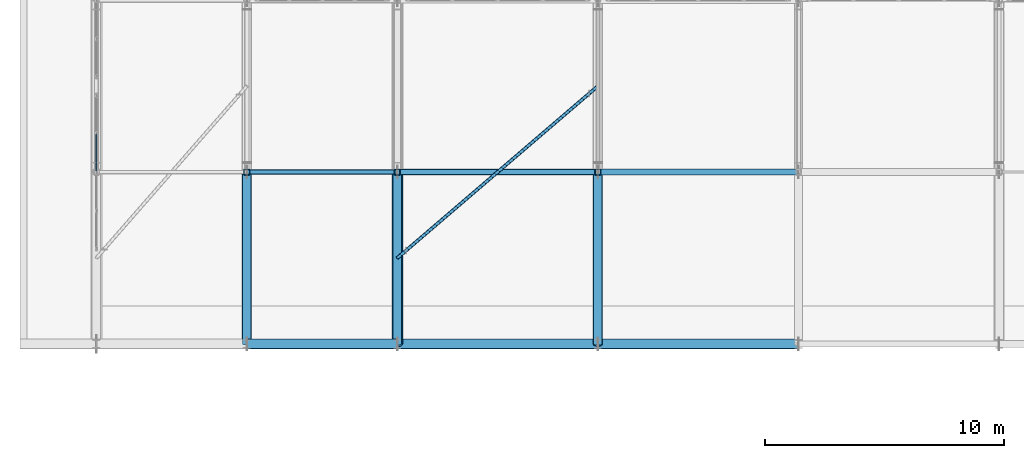
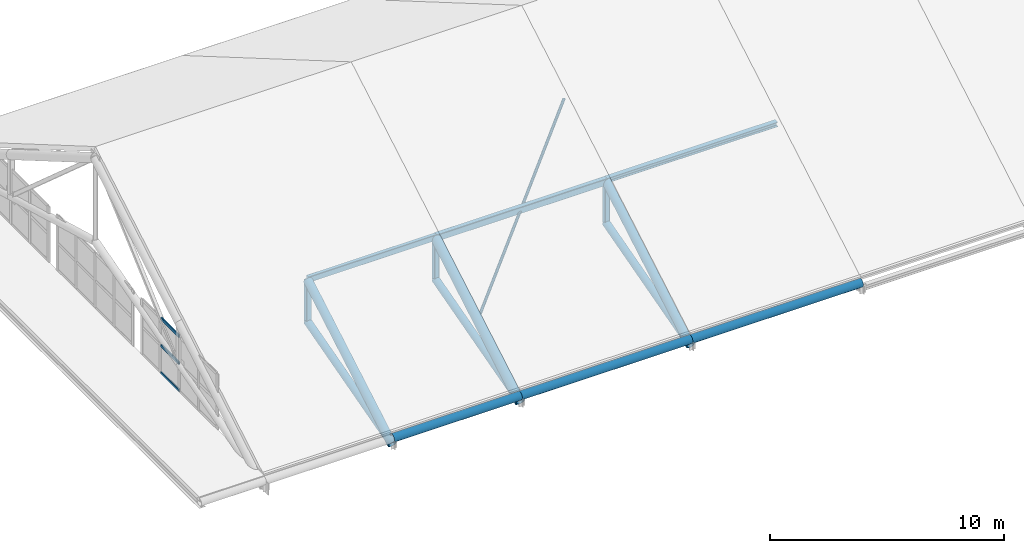
# One storey, part 3 of 54: 19 members, 1 element without a shape of its own.
"""IFC4 building model written with IfcOpenShell, lengths in metres."""

import ifcopenshell
import ifcopenshell.guid

model = None  # the IFC model being written
_history = None  # IfcOwnerHistory: only IFC2X3 demands one
_inside = {}  # id of a spatial element -> (the spatial element, [elements in it])
_under = {}  # id of a project, library or spatial element -> (it, [spatial elements below it])
_declared = {}  # id of a project -> (the project, [libraries it declares])
_typed = {}  # id of a type object -> (the type object, [elements of that type])
_made_of = {}  # id of a material, layer set ... -> (it, [elements and type objects made of it])


def new_model(schema):
    """Start an empty IFC model of exactly this schema.

    Asked for "IFC4X3", IfcOpenShell would pick the latest addendum, in which some entities
    have other attributes; the version numbers below select the first issue.
    IFC2X3 requires an IfcOwnerHistory on every rooted entity: one is made here for all.
    """
    global model, _history
    if schema == "IFC4X3":
        model = ifcopenshell.file(schema_version=(4, 3, 0, 0))
    else:
        model = ifcopenshell.file(schema=schema)
    _inside.clear()
    _under.clear()
    _declared.clear()
    _typed.clear()
    _made_of.clear()
    _history = None
    if model.schema == "IFC2X3":
        org = make("IfcOrganization", Name="unknown")
        user = make(
            "IfcPersonAndOrganization",
            ThePerson=make("IfcPerson", FamilyName="unknown"),
            TheOrganization=org,
        )
        app = make(
            "IfcApplication",
            ApplicationDeveloper=org,
            Version="unknown",
            ApplicationFullName="unknown",
            ApplicationIdentifier="unknown",
        )
        _history = make(
            "IfcOwnerHistory",
            OwningUser=user,
            OwningApplication=app,
            ChangeAction="ADDED",
            CreationDate=0,
        )
    return model


def make(cls, **values):
    """One entity of the class cls with the attributes given. An attribute that is None is left unset."""
    return model.create_entity(
        cls, **{name: value for name, value in values.items() if value is not None}
    )


def rooted(cls, **values):
    """An entity with a GlobalId (a new one), such as an element, a storey or a relation."""
    return make(cls, GlobalId=ifcopenshell.guid.new(), OwnerHistory=_history, **values)


def si_unit(unit_type, name, prefix=None):
    """IfcSIUnit, for example si_unit("LENGTHUNIT", "METRE", prefix="MILLI")."""
    return make("IfcSIUnit", UnitType=unit_type, Prefix=prefix, Name=name)


def assignment(units):
    """IfcUnitAssignment: the units of a project."""
    return None if units is None else make("IfcUnitAssignment", Units=units)


def point(xyz):
    """IfcCartesianPoint."""
    return None if xyz is None else make("IfcCartesianPoint", Coordinates=xyz)


def direction(xyz):
    """IfcDirection."""
    return None if xyz is None else make("IfcDirection", DirectionRatios=xyz)


def frame(location, z_axis=None, x_axis=None):
    """IfcAxis2Placement3D, a coordinate frame: its origin and axes. An axis left out is left unset."""
    return make(
        "IfcAxis2Placement3D",
        Location=point(location),
        Axis=direction(z_axis),
        RefDirection=direction(x_axis),
    )


def frame_2d(location, x_axis=None):
    """IfcAxis2Placement2D, a coordinate frame in the plane: its origin and x axis."""
    return make(
        "IfcAxis2Placement2D", Location=point(location), RefDirection=direction(x_axis)
    )


def origin():
    """The frame at (0, 0, 0) with its axes left unset."""
    return frame((0.0, 0.0, 0.0))


def origin_2d():
    """The frame at (0, 0) in the plane with its x axis left unset."""
    return frame_2d((0.0, 0.0))


def place(relative_to, where):
    """IfcLocalPlacement: puts the frame where relative to a parent placement (None: the world)."""
    return make(
        "IfcLocalPlacement", PlacementRelTo=relative_to, RelativePlacement=where
    )


def context(
    kind, dimensions, precision=None, world=None, true_north=None, identifier=None
):
    """IfcGeometricRepresentationContext, for example the 3D "Model" context."""
    return make(
        "IfcGeometricRepresentationContext",
        ContextIdentifier=identifier,
        ContextType=kind,
        CoordinateSpaceDimension=dimensions,
        Precision=precision,
        WorldCoordinateSystem=world,
        TrueNorth=true_north,
    )


def subcontext(parent, identifier, kind, view, scale=None):
    """IfcGeometricRepresentationSubContext, for example "Body" below "Model"."""
    return make(
        "IfcGeometricRepresentationSubContext",
        ContextIdentifier=identifier,
        ContextType=kind,
        ParentContext=parent,
        TargetScale=scale,
        TargetView=view,
    )


def project(units=None, contexts=None):
    """IfcProject with its units and contexts."""
    return rooted(
        "IfcProject",
        Name="project",
        RepresentationContexts=contexts,
        UnitsInContext=assignment(units),
    )


def spatial(cls, under=None, at=None, **own):
    """A site, building, storey or space (cls), placed at a placement, below another one or the project."""
    s = rooted(cls, ObjectPlacement=at, **own)
    if under is not None:
        _under.setdefault(under.id(), (under, []))[1].append(s)
    return s


def profile(cls, at=None, kind="AREA", **sizes):
    """A parametric profile (cls). Its sizes go by their IFC names, for example OverallWidth=200.0."""
    return make(cls, ProfileType=kind, Position=at, **sizes)


def hollow_rectangle(**sizes):
    """IfcRectangleHollowProfileDef."""
    return profile("IfcRectangleHollowProfileDef", **sizes)


def hollow_circle(**sizes):
    """IfcCircleHollowProfileDef."""
    return profile("IfcCircleHollowProfileDef", **sizes)


def i_section(**sizes):
    """IfcIShapeProfileDef."""
    return profile("IfcIShapeProfileDef", **sizes)


def extrude(swept, where, along, depth):
    """IfcExtrudedAreaSolid: the profile swept, set in the frame where, extruded along a direction by depth."""
    return make(
        "IfcExtrudedAreaSolid",
        SweptArea=swept,
        Position=where,
        ExtrudedDirection=direction(along),
        Depth=depth,
    )


def shape(context_of_items, identifier, shape_type, items):
    """IfcShapeRepresentation: the items that make up one representation, for example the "Body"."""
    return make(
        "IfcShapeRepresentation",
        ContextOfItems=context_of_items,
        RepresentationIdentifier=identifier,
        RepresentationType=shape_type,
        Items=items,
    )


def material(Name=None, Category=None):
    """IfcMaterial."""
    return make("IfcMaterial", Name=Name, Category=Category)


def layer(
    of_material, thickness, ventilated=None, Name=None, Category=None, Priority=None
):
    """IfcMaterialLayer: one layer of a wall or slab, of a material (None: an air gap)."""
    return make(
        "IfcMaterialLayer",
        Material=of_material,
        LayerThickness=thickness,
        IsVentilated=ventilated,
        Name=Name,
        Category=Category,
        Priority=Priority,
    )


def layer_set(layers, Name=None):
    """IfcMaterialLayerSet."""
    return make("IfcMaterialLayerSet", MaterialLayers=layers, LayerSetName=Name)


def material_profile(
    of_material, cross_section, Name=None, Category=None, Priority=None
):
    """IfcMaterialProfile: a cross section and its material."""
    return make(
        "IfcMaterialProfile",
        Name=Name,
        Material=of_material,
        Profile=cross_section,
        Priority=Priority,
        Category=Category,
    )


def profile_set(profiles, Name=None, composite=None):
    """IfcMaterialProfileSet."""
    return make(
        "IfcMaterialProfileSet",
        Name=Name,
        MaterialProfiles=profiles,
        CompositeProfile=composite,
    )


def made_of(thing, what):
    """Note that an element or type object is made of a material, layer set ...; save() writes the relation."""
    if what is not None:
        _made_of.setdefault(what.id(), (what, []))[1].append(thing)
    return thing


def type_object(cls, material=None, **own):
    """A type object (cls), such as IfcWallType, which elements share."""
    return made_of(rooted(cls, **own), material)


def element(
    cls,
    number,
    at=None,
    inside=None,
    cuts=None,
    type_object=None,
    material=None,
    context=None,
    identifier="Body",
    shape_type=None,
    held_by="IfcProductDefinitionShape",
    body=None,
    shapes=None,
    **own,
):
    """One element of the class cls, such as IfcWall. Its Tag is "e" and its number.

    at: its placement. inside: the storey or other place that contains it. cuts: it is an
    opening in that element (IfcRelVoidsElement). A single representation is given by context,
    identifier, shape_type and body (its items); several are given by shapes. held_by: the class
    of the entity that holds the representations. save() writes the other relations.
    """
    e = rooted(cls, Tag="e%d" % number, ObjectPlacement=at, **own)
    if body is not None:
        shapes = [shape(context, identifier, shape_type, body)]
    if shapes is not None:
        e.Representation = make(held_by, Representations=shapes)
    if inside is not None:
        _inside.setdefault(inside.id(), (inside, []))[1].append(e)
    if cuts is not None:
        rooted(
            "IfcRelVoidsElement", RelatingBuildingElement=cuts, RelatedOpeningElement=e
        )
    if type_object is not None:
        _typed.setdefault(type_object.id(), (type_object, []))[1].append(e)
    return made_of(e, material)


def aggregate(whole, parts):
    """IfcRelAggregates: a whole, such as a stair, and the parts it consists of."""
    return rooted("IfcRelAggregates", RelatingObject=whole, RelatedObjects=parts)


def save(model, path):
    """Write the relations noted so far, then the file.

    IfcRelAggregates (storeys below a building ...), IfcRelContainedInSpatialStructure (elements
    in a storey), IfcRelDefinesByType, IfcRelAssociatesMaterial and IfcRelDeclares: one each for
    every whole, place, type object, material and project.
    """
    for whole, parts in _under.values():
        aggregate(whole, parts)
    for where, things in _inside.values():
        rooted(
            "IfcRelContainedInSpatialStructure",
            RelatedElements=things,
            RelatingStructure=where,
        )
    for kind, things in _typed.values():
        rooted("IfcRelDefinesByType", RelatedObjects=things, RelatingType=kind)
    for what, things in _made_of.values():
        rooted("IfcRelAssociatesMaterial", RelatedObjects=things, RelatingMaterial=what)
    for by, libraries in _declared.values():
        rooted("IfcRelDeclares", RelatingContext=by, RelatedDefinitions=libraries)
    model.write(path)


model = new_model("IFC4")

# Units and contexts
model_context = context("Model", 3, precision=1e-05, world=origin(), true_north=direction((0.0, 1.0)))
body_context = subcontext(model_context, "Body", "Model", "MODEL_VIEW")
ifc_project = project(units=[si_unit("LENGTHUNIT", "METRE"), si_unit("AREAUNIT", "SQUARE_METRE"), si_unit("VOLUMEUNIT", "CUBIC_METRE"), si_unit("PLANEANGLEUNIT", "RADIAN"), si_unit("MASSUNIT", "GRAM", prefix="KILO")], contexts=[model_context])

# Site, building, storey
site_placement = place(None, origin())
site = spatial("IfcSite", under=ifc_project, at=site_placement, CompositionType="ELEMENT")
building_placement = place(site_placement, origin())
building = spatial("IfcBuilding", under=site, at=building_placement, Name="Zulmaris Art Gallery", CompositionType="ELEMENT")
storey_placement = place(building_placement, frame((0.0, 0.0, 26.39990234375)))
storey = spatial("IfcBuildingStorey", under=building, at=storey_placement, Name="L05", CompositionType="ELEMENT", Elevation=26.39990234375)

# Curtain wall, members
ifc_material_1 = material(Name="Pitched Roof North-Light Clerestory Wall", Category="aluminium")
ifc_layer = layer(ifc_material_1, 0.179931640625)
ifc_layer_set = layer_set([ifc_layer], Name="Pitched Roof North-Light Clerestory Wall")
curtain_wall_type = type_object("IfcCurtainWallType", Name="CW-CW05", PredefinedType="NOTDEFINED", material=ifc_layer_set)
curtain_wall_placement = place(storey_placement, origin())
curtain_wall = element("IfcCurtainWall", 1, at=curtain_wall_placement, inside=storey, type_object=curtain_wall_type, Name="L05 curtain wall 38", PredefinedType="NOTDEFINED")
ifc_material_2 = material(Name="Anodised Bronze Aluminium", Category="aluminium")
ifc_material_profile_1 = material_profile(ifc_material_2, hollow_rectangle(XDim=0.06494140625, YDim=0.14990234375, WallThickness=0.00390625, InnerFilletRadius=0.006103515625, OuterFilletRadius=0.010009765625, at=origin_2d()), Name="ALU 65x150x4")
ifc_profile_set_1 = profile_set([ifc_material_profile_1], Name="Anodised Bronze Aluminium")
member_type_1 = type_object("IfcMemberType", Name="CWTRN-01", PredefinedType="USERDEFINED", material=ifc_profile_set_1)
member_1_placement = place(storey_placement, frame((11.39990234375, 28.83740234375, 0.03759765625), z_axis=(0.0, 1.0, 0.0), x_axis=(-1.0, 0.0, 0.0)))
member_1 = element("IfcMember", 2, at=member_1_placement, type_object=member_type_1, Name="CW05 transom 3.1", ObjectType="TRANSOM", PredefinedType="USERDEFINED", context=body_context, shape_type="SweptSolid", body=[
    extrude(hollow_rectangle(XDim=0.06494140625, YDim=0.14990234375, WallThickness=0.00390625, InnerFilletRadius=0.006103515625, OuterFilletRadius=0.010009765625, at=origin_2d()), origin(), (0.0, 0.0, 1.0), 1.550048828125),
])
member_2_placement = place(storey_placement, frame((11.39990234375, 28.83740234375, 1.4501953125), z_axis=(0.0, 1.0, 0.0), x_axis=(-1.0, 0.0, 0.0)))
member_2 = element("IfcMember", 3, at=member_2_placement, type_object=member_type_1, Name="CW05 transom 3.2", ObjectType="TRANSOM", PredefinedType="USERDEFINED", context=body_context, shape_type="SweptSolid", body=[
    extrude(hollow_rectangle(XDim=0.06494140625, YDim=0.14990234375, WallThickness=0.00390625, InnerFilletRadius=0.006103515625, OuterFilletRadius=0.010009765625, at=origin_2d()), origin(), (0.0, 0.0, 1.0), 1.550048828125),
])
member_3_placement = place(storey_placement, frame((11.39990234375, 28.83740234375, 2.862548828125), z_axis=(0.0, 1.0, 0.0), x_axis=(-1.0, 0.0, 0.0)))
member_3 = element("IfcMember", 4, at=member_3_placement, type_object=member_type_1, Name="CW05 transom 3.3", ObjectType="TRANSOM", PredefinedType="USERDEFINED", context=body_context, shape_type="SweptSolid", body=[
    extrude(hollow_rectangle(XDim=0.06494140625, YDim=0.14990234375, WallThickness=0.00390625, InnerFilletRadius=0.006103515625, OuterFilletRadius=0.010009765625, at=origin_2d()), origin(), (0.0, 0.0, 1.0), 1.550048828125),
])
aggregate(curtain_wall, [member_1, member_2, member_3])

# Members
ifc_material_3 = material(Name="Steel S355J2H", Category="steel")
ifc_material_profile_2 = material_profile(ifc_material_3, hollow_circle(Radius=0.06982421875, WallThickness=0.008056640625, at=origin_2d()), Name="CHS 139.7x8")
ifc_profile_set_2 = profile_set([ifc_material_profile_2], Name="Steel S355J2H")
member_type_2 = type_object("IfcMemberType", Name="MEM-BR01", PredefinedType="BRACE", material=ifc_profile_set_2)
member_4_placement = place(storey_placement, frame((24.0, 25.199951171875, 1.52001953125), z_axis=(0.709821706751, 0.608421553037, 0.354931484129), x_axis=(-0.650793190779, 0.759255044656, 0.0)))
element("IfcMember", 5, at=member_4_placement, inside=storey, type_object=member_type_2, Name="Roof wind collector brace 3A", PredefinedType="BRACE", context=body_context, shape_type="SweptSolid", body=[
    extrude(hollow_circle(Radius=0.06982421875, WallThickness=0.008056640625, at=origin_2d()), origin(), (0.0, 0.0, 1.0), 11.833740234375),
])
ifc_material_profile_3 = material_profile(ifc_material_3, hollow_rectangle(XDim=0.199951171875, YDim=0.300048828125, WallThickness=0.012451171875, InnerFilletRadius=0.018798828125, OuterFilletRadius=0.03125, at=origin_2d()), Name="RHS 300x200x12.5")
ifc_profile_set_3 = profile_set([ifc_material_profile_3], Name="Steel S355J2H")
member_type_3 = type_object("IfcMemberType", Name="MEM-PR03", PredefinedType="PURLIN", material=ifc_profile_set_3)
member_5_placement = place(storey_placement, frame((17.699951171875, 28.800048828125, 3.670166015625), z_axis=(1.0, 0.0, 0.0), x_axis=(0.0, 1.0, 0.0)))
element("IfcMember", 6, at=member_5_placement, inside=storey, type_object=member_type_3, Name="Skylight roof purlin bay 2 line 2", PredefinedType="PURLIN", context=body_context, shape_type="SweptSolid", body=[
    extrude(hollow_rectangle(XDim=0.199951171875, YDim=0.300048828125, WallThickness=0.012451171875, InnerFilletRadius=0.018798828125, OuterFilletRadius=0.03125, at=origin_2d()), origin(), (0.0, 0.0, 1.0), 6.300048828125),
])
ifc_material_profile_4 = material_profile(ifc_material_3, hollow_rectangle(XDim=0.25, YDim=0.35009765625, WallThickness=0.01611328125, InnerFilletRadius=0.02392578125, OuterFilletRadius=0.0400390625, at=origin_2d()), Name="RHS 350x250x16")
ifc_profile_set_4 = profile_set([ifc_material_profile_4], Name="Steel S355J2H")
member_type_4 = type_object("IfcMemberType", Name="MEM-PR04", PredefinedType="PURLIN", material=ifc_profile_set_4)
member_6_placement = place(storey_placement, frame((24.0, 28.800048828125, 3.64501953125), z_axis=(1.0, 0.0, 0.0), x_axis=(0.0, 1.0, 0.0)))
element("IfcMember", 7, at=member_6_placement, inside=storey, type_object=member_type_4, Name="Skylight roof purlin bay 3 line 2", PredefinedType="PURLIN", context=body_context, shape_type="SweptSolid", body=[
    extrude(hollow_rectangle(XDim=0.25, YDim=0.35009765625, WallThickness=0.01611328125, InnerFilletRadius=0.02392578125, OuterFilletRadius=0.0400390625, at=origin_2d()), origin(), (0.0, 0.0, 1.0), 8.39990234375),
])
ifc_material_4 = material(Name="Steel S355J2", Category="steel")
ifc_material_profile_5 = material_profile(ifc_material_4, i_section(OverallWidth=0.239990234375, OverallDepth=0.239990234375, WebThickness=0.010009765625, FlangeThickness=0.01708984375, FilletRadius=0.02099609375, at=origin_2d()), Name="HEB 240")
ifc_profile_set_5 = profile_set([ifc_material_profile_5], Name="Steel S355J2")
member_type_5 = type_object("IfcMemberType", Name="MEM-PR05", PredefinedType="PURLIN", material=ifc_profile_set_5)
member_7_placement = place(storey_placement, frame((32.39990234375, 28.800048828125, 3.7001953125), z_axis=(1.0, 0.0, 0.0), x_axis=(0.0, 1.0, 0.0)))
element("IfcMember", 8, at=member_7_placement, inside=storey, type_object=member_type_5, Name="Skylight roof purlin bay 4 line 2", PredefinedType="PURLIN", context=body_context, shape_type="SweptSolid", body=[
    extrude(i_section(OverallWidth=0.239990234375, OverallDepth=0.239990234375, WebThickness=0.010009765625, FlangeThickness=0.01708984375, FilletRadius=0.02099609375, at=origin_2d()), origin(), (0.0, 0.0, 1.0), 8.400146484375),
])
ifc_material_profile_6 = material_profile(ifc_material_3, hollow_circle(Radius=0.177734375, WallThickness=0.01611328125, at=origin_2d()), Name="CHS 355.6x16")
ifc_profile_set_6 = profile_set([ifc_material_profile_6], Name="Steel S355J2H")
member_type_6 = type_object("IfcMemberType", Name="MEM-TC01", PredefinedType="CHORD", material=ifc_profile_set_6)
for number, where, z_axis, x_axis, name in (
    (9, (17.699951171875, 21.60009765625, -0.5498046875), (0.0, 0.963517441554, 0.267645548853), (-1.0, 0.0, 0.0), "Pitched gallery truss TR-R02 bottom chord 1"),
    (10, (24.0, 21.60009765625, -0.5498046875), (0.0, 0.963517441554, 0.267645548853), (-1.0, 0.0, 0.0), "Pitched gallery truss TR-R03 bottom chord 1"),
    (11, (32.39990234375, 21.60009765625, -0.5498046875), (0.0, 0.963517441554, 0.267645548853), (-1.0, 0.0, 0.0), "Pitched gallery truss TR-R04 bottom chord 1"),
):
    element("IfcMember", number, at=place(storey_placement, frame(where, z_axis=z_axis, x_axis=x_axis)), inside=storey, type_object=member_type_6, Name=name, PredefinedType="CHORD", context=body_context, shape_type="SweptSolid", body=[
        extrude(hollow_circle(Radius=0.177734375, WallThickness=0.01611328125, at=origin_2d()), origin(), (0.0, 0.0, 1.0), 7.47265625),
    ])
ifc_material_profile_7 = material_profile(ifc_material_3, hollow_circle(Radius=0.203125, WallThickness=0.01611328125, at=origin_2d()), Name="CHS 406.4x16")
ifc_profile_set_7 = profile_set([ifc_material_profile_7], Name="Steel S355J2H")
member_type_7 = type_object("IfcMemberType", Name="MEM-TC02", PredefinedType="CHORD", material=ifc_profile_set_7)
member_8_placement = place(storey_placement, frame((17.699951171875, 21.60009765625, -0.25), z_axis=(1.0, 0.0, 0.0), x_axis=(0.0, 1.0, 0.0)))
element("IfcMember", 12, at=member_8_placement, inside=storey, type_object=member_type_7, Name="Eaves sunshade truss 1 top chord 3", PredefinedType="CHORD", context=body_context, shape_type="SweptSolid", body=[
    extrude(hollow_circle(Radius=0.203125, WallThickness=0.01611328125, at=origin_2d()), origin(), (0.0, 0.0, 1.0), 6.300048828125),
])
member_9_placement = place(storey_placement, frame((24.0, 21.60009765625, -0.25), z_axis=(1.0, 0.0, 0.0), x_axis=(0.0, 1.0, 0.0)))
element("IfcMember", 13, at=member_9_placement, inside=storey, type_object=member_type_7, Name="Eaves sunshade truss 1 top chord 4", PredefinedType="CHORD", context=body_context, shape_type="SweptSolid", body=[
    extrude(hollow_circle(Radius=0.203125, WallThickness=0.01611328125, at=origin_2d()), origin(), (0.0, 0.0, 1.0), 8.39990234375),
])
member_10_placement = place(storey_placement, frame((32.39990234375, 21.60009765625, -0.25), z_axis=(1.0, 0.0, 0.0), x_axis=(0.0, 1.0, 0.0)))
element("IfcMember", 14, at=member_10_placement, inside=storey, type_object=member_type_7, Name="Eaves sunshade truss 1 top chord 5", PredefinedType="CHORD", context=body_context, shape_type="SweptSolid", body=[
    extrude(hollow_circle(Radius=0.203125, WallThickness=0.01611328125, at=origin_2d()), origin(), (0.0, 0.0, 1.0), 8.400146484375),
])
for number, where, z_axis, x_axis, name in (
    (15, (17.699951171875, 21.60009765625, -0.579833984375), (0.0, 0.863779963214, 0.503869204407), (-1.0, 0.0, 0.0), "Pitched gallery truss TR-R02 top chord 1"),
    (16, (32.39990234375, 21.60009765625, -0.579833984375), (0.0, 0.863779963214, 0.503869204407), (-1.0, 0.0, 0.0), "Pitched gallery truss TR-R04 top chord 1"),
):
    element("IfcMember", number, at=place(storey_placement, frame(where, z_axis=z_axis, x_axis=x_axis)), inside=storey, type_object=member_type_7, Name=name, PredefinedType="CHORD", context=body_context, shape_type="SweptSolid", body=[
        extrude(hollow_circle(Radius=0.203125, WallThickness=0.01611328125, at=origin_2d()), origin(), (0.0, 0.0, 1.0), 8.33544921875),
    ])
ifc_material_profile_8 = material_profile(ifc_material_3, hollow_circle(Radius=0.228515625, WallThickness=0.02001953125, at=origin_2d()), Name="CHS 457x20")
ifc_profile_set_8 = profile_set([ifc_material_profile_8], Name="Steel S355J2H")
member_type_8 = type_object("IfcMemberType", Name="MEM-TC03", PredefinedType="CHORD", material=ifc_profile_set_8)
member_11_placement = place(storey_placement, frame((24.0, 21.60009765625, -0.579833984375), z_axis=(0.0, 0.863779963214, 0.503869204407), x_axis=(-1.0, 0.0, 0.0)))
element("IfcMember", 17, at=member_11_placement, inside=storey, type_object=member_type_8, Name="Pitched gallery truss TR-R03 top chord 1", PredefinedType="CHORD", context=body_context, shape_type="SweptSolid", body=[
    extrude(hollow_circle(Radius=0.228515625, WallThickness=0.02001953125, at=origin_2d()), origin(), (0.0, 0.0, 1.0), 8.33544921875),
])
ifc_material_profile_9 = material_profile(ifc_material_3, hollow_rectangle(XDim=0.25, YDim=0.25, WallThickness=0.012451171875, InnerFilletRadius=0.018798828125, OuterFilletRadius=0.03125, at=origin_2d()), Name="SHS 250x250x12.5")
ifc_profile_set_9 = profile_set([ifc_material_profile_9], Name="Steel S355J2H")
member_type_9 = type_object("IfcMemberType", Name="MEM-TP05", PredefinedType="POST", material=ifc_profile_set_9)
for number, where, z_axis, x_axis, name in (
    (18, (17.699951171875, 28.800048828125, 1.4501953125), (0.0, 0.0, 1.0), (1.0, 0.0, 0.0), "Pitched gallery truss TR-R02 web post 2"),
    (19, (24.0, 28.800048828125, 1.4501953125), (0.0, 0.0, 1.0), (1.0, 0.0, 0.0), "Pitched gallery truss TR-R03 web post 2"),
    (20, (32.39990234375, 28.800048828125, 1.4501953125), (0.0, 0.0, 1.0), (1.0, 0.0, 0.0), "Pitched gallery truss TR-R04 web post 2"),
):
    element("IfcMember", number, at=place(storey_placement, frame(where, z_axis=z_axis, x_axis=x_axis)), inside=storey, type_object=member_type_9, Name=name, PredefinedType="POST", context=body_context, shape_type="SweptSolid", body=[
        extrude(hollow_rectangle(XDim=0.25, YDim=0.25, WallThickness=0.012451171875, InnerFilletRadius=0.018798828125, OuterFilletRadius=0.03125, at=origin_2d()), origin(), (0.0, 0.0, 1.0), 2.169921875),
    ])

save(model, "model.ifc")
